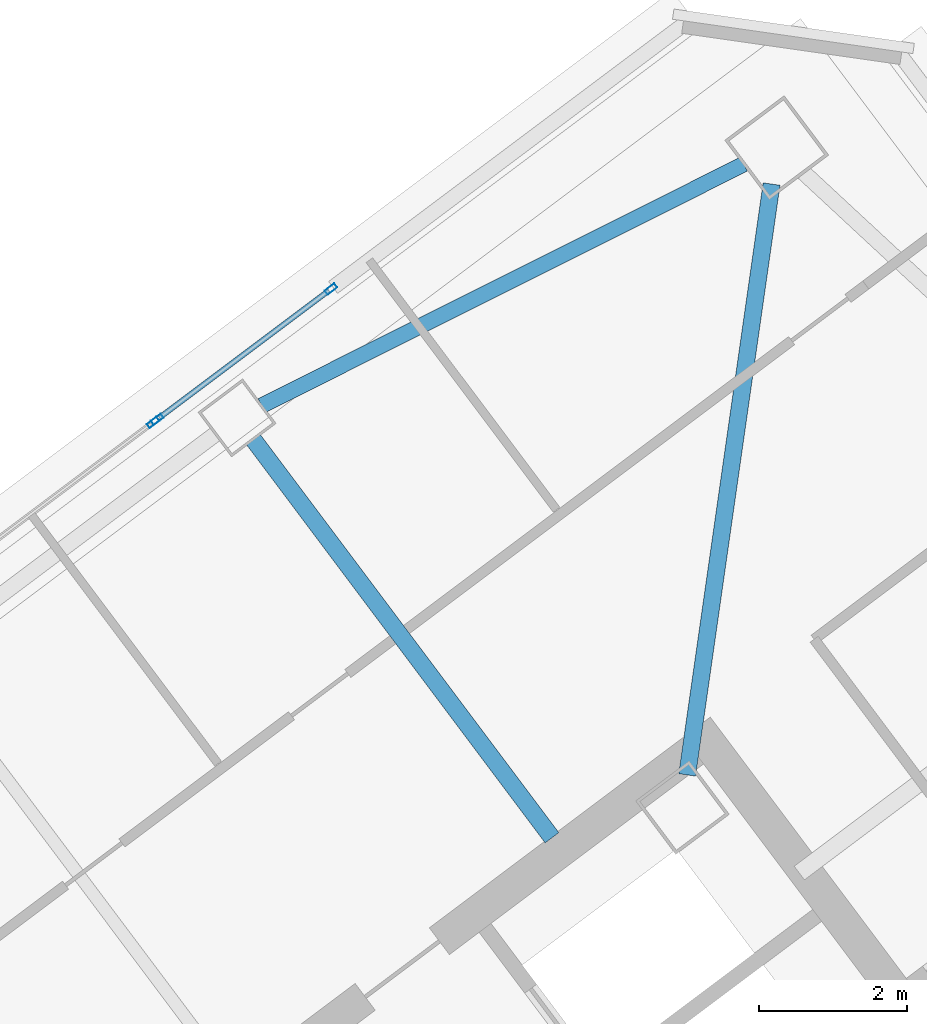
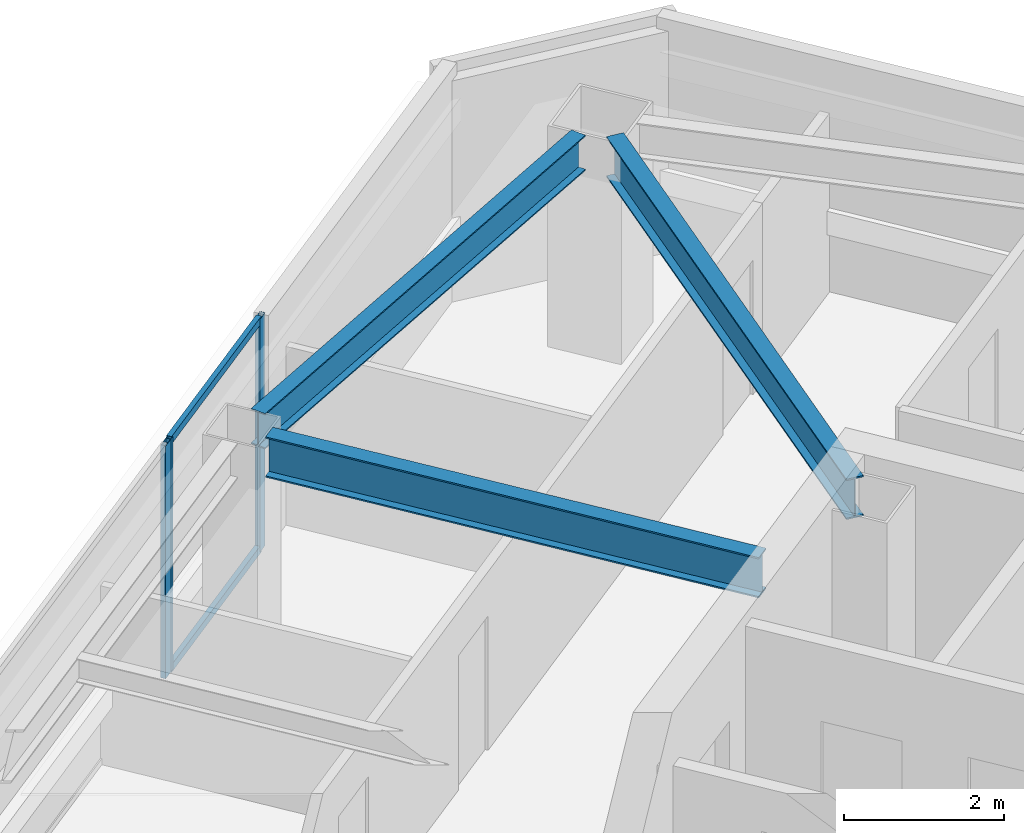
# One storey, part 26 of 40: 5 members, 3 beams, 2 elements without a shape of their own.
"""IFC4 building model written with IfcOpenShell, lengths in metres."""

from ifc_helpers import new_model, si_unit, direction, frame, origin, origin_2d, place, context, subcontext, project, spatial, hollow_rectangle, i_section, extrude, material, material_profile, profile_set, type_object, element, aggregate, save


model = new_model("IFC4")

# Units and contexts
model_context = context("Model", 3, precision=1e-05, world=origin(), true_north=direction((0.0, 1.0)))
body_context = subcontext(model_context, "Body", "Model", "MODEL_VIEW")
ifc_project = project(units=[si_unit("LENGTHUNIT", "METRE"), si_unit("AREAUNIT", "SQUARE_METRE"), si_unit("VOLUMEUNIT", "CUBIC_METRE"), si_unit("PLANEANGLEUNIT", "RADIAN"), si_unit("MASSUNIT", "GRAM", prefix="KILO")], contexts=[model_context])

# Site, building, storey
site_placement = place(None, origin())
site = spatial("IfcSite", under=ifc_project, at=site_placement, CompositionType="ELEMENT")
building_placement = place(site_placement, origin())
building = spatial("IfcBuilding", under=site, at=building_placement, Name="Tashvorn Skyway Center", CompositionType="ELEMENT")
storey_placement = place(building_placement, frame((0.0, 0.0, 221.949951171875)))
storey = spatial("IfcBuildingStorey", under=building, at=storey_placement, Name="L60", CompositionType="ELEMENT", Elevation=221.949951171875)

# Beams
ifc_material_1 = material(Name="Steel ASTM A992 Grade 50", Category="steel")
ifc_material_profile_1 = material_profile(ifc_material_1, i_section(OverallWidth=0.22998046875, OverallDepth=0.616943359375, WebThickness=0.01318359375, FlangeThickness=0.022216796875, at=origin_2d()), Name="W24X94")
ifc_profile_set_1 = profile_set([ifc_material_profile_1], Name="Steel ASTM A992 Grade 50")
beam_type_1 = type_object("IfcBeamType", Name="BM-BEAM-W24X94", PredefinedType="BEAM", material=ifc_profile_set_1)
beam_1_placement = place(storey_placement, frame((116.610107421875, 50.27001953125, 3.0615234375), z_axis=(-0.141438360399, -0.989947064346, 0.0), x_axis=(0.989947064346, -0.141438360399, 0.0)))
element("IfcBeam", 1, at=beam_1_placement, inside=storey, type_object=beam_type_1, Name="Tower 2 L60 Primary Floor Girder MC-NE", PredefinedType="BEAM", context=body_context, shape_type="SweptSolid", body=[
    extrude(i_section(OverallWidth=0.22998046875, OverallDepth=0.616943359375, WebThickness=0.01318359375, FlangeThickness=0.022216796875, at=origin_2d()), origin(), (0.0, 0.0, 1.0), 8.040283203125),
])
beam_2_placement = place(storey_placement, frame((109.632080078125, 46.823974609375, 3.0615234375), z_axis=(0.600011660554, -0.799991254452, 0.0), x_axis=(0.799991254452, 0.600011660554, 0.0)))
element("IfcBeam", 2, at=beam_2_placement, inside=storey, type_object=beam_type_1, Name="Tower 2 L60 Primary Floor Girder FC-N1", PredefinedType="BEAM", context=body_context, shape_type="SweptSolid", body=[
    extrude(i_section(OverallWidth=0.22998046875, OverallDepth=0.616943359375, WebThickness=0.01318359375, FlangeThickness=0.022216796875, at=origin_2d()), origin(), (0.0, 0.0, 1.0), 6.699951171875),
])
ifc_material_profile_2 = material_profile(ifc_material_1, i_section(OverallWidth=0.2109375, OverallDepth=0.5390625, WebThickness=0.01171875, FlangeThickness=0.018798828125, at=origin_2d()), Name="W21X73")
ifc_profile_set_2 = profile_set([ifc_material_profile_2], Name="Steel ASTM A992 Grade 50")
beam_type_2 = type_object("IfcBeamType", Name="BM-SPANDREL-W21X73", PredefinedType="SPANDREL", material=ifc_profile_set_2)
beam_3_placement = place(storey_placement, frame((116.2373046875, 50.538330078125, 3.1005859375), z_axis=(-0.894178380472, -0.447710870872, 0.0), x_axis=(0.447710870872, -0.894178380472, 0.0)))
element("IfcBeam", 3, at=beam_3_placement, inside=storey, type_object=beam_type_2, Name="Tower 2 L60 Spandrel Beam 07", PredefinedType="SPANDREL", context=body_context, shape_type="SweptSolid", body=[
    extrude(i_section(OverallWidth=0.2109375, OverallDepth=0.5390625, WebThickness=0.01171875, FlangeThickness=0.018798828125, at=origin_2d()), origin(), (0.0, 0.0, 1.0), 7.26513671875),
])

# Curtain wall, member
ifc_material_2 = material(Name="Thermally broken bronze-anodized aluminium 6063-T6", Category="aluminium")
curtain_wall_type = type_object("IfcCurtainWallType", Name="CW-CW-Z5", PredefinedType="NOTDEFINED", material=ifc_material_2)
curtain_wall_1_placement = place(storey_placement, origin())
curtain_wall_1 = element("IfcCurtainWall", 4, at=curtain_wall_1_placement, inside=storey, type_object=curtain_wall_type, Name="Tower 2 L60 North Unitised Curtain Wall Glazing Group 2", PredefinedType="NOTDEFINED")
ifc_material_profile_3 = material_profile(ifc_material_2, hollow_rectangle(XDim=0.070068359375, YDim=0.1650390625, WallThickness=0.00390625, at=origin_2d()), Name="ALU-MULL-70x165")
ifc_profile_set_3 = profile_set([ifc_material_profile_3], Name="Thermally broken bronze-anodized aluminium 6063-T6")
member_type_1 = type_object("IfcMemberType", Name="CWM-CW-Z5", PredefinedType="MULLION", material=ifc_profile_set_3)
member_1_placement = place(storey_placement, frame((108.27880859375, 47.05908203125, 0.0), z_axis=(0.0, 0.0, 1.0), x_axis=(-0.599996439189, 0.800002670596, 0.0)))
member_1 = element("IfcMember", 5, at=member_1_placement, type_object=member_type_1, Name="CW-Z5 mullion 2", PredefinedType="MULLION", context=body_context, shape_type="SweptSolid", body=[
    extrude(hollow_rectangle(XDim=0.070068359375, YDim=0.1650390625, WallThickness=0.00390625, at=origin_2d()), origin(), (0.0, 0.0, 1.0), 3.550048828125),
])
aggregate(curtain_wall_1, [member_1])

# Curtain wall, members
curtain_wall_2_placement = place(storey_placement, origin())
curtain_wall_2 = element("IfcCurtainWall", 6, at=curtain_wall_2_placement, inside=storey, type_object=curtain_wall_type, Name="Tower 2 L60 North Unitised Curtain Wall Glazing Group 3", PredefinedType="NOTDEFINED")
member_2_placement = place(storey_placement, frame((108.334716796875, 47.10107421875, 0.0), z_axis=(0.0, 0.0, 1.0), x_axis=(-0.600000000002, 0.799999999998, 0.0)))
member_2 = element("IfcMember", 7, at=member_2_placement, type_object=member_type_1, Name="CW-Z5 mullion 1", PredefinedType="MULLION", context=body_context, shape_type="SweptSolid", body=[
    extrude(hollow_rectangle(XDim=0.070068359375, YDim=0.1650390625, WallThickness=0.00390625, at=origin_2d()), origin(), (0.0, 0.0, 1.0), 3.550048828125),
])
member_3_placement = place(storey_placement, frame((110.675048828125, 48.856201171875, 0.0), z_axis=(0.0, 0.0, 1.0), x_axis=(-0.600000000002, 0.799999999998, 0.0)))
member_3 = element("IfcMember", 8, at=member_3_placement, type_object=member_type_1, Name="CW-Z5 mullion 2", PredefinedType="MULLION", context=body_context, shape_type="SweptSolid", body=[
    extrude(hollow_rectangle(XDim=0.070068359375, YDim=0.1650390625, WallThickness=0.00390625, at=origin_2d()), origin(), (0.0, 0.0, 1.0), 3.550048828125),
])
ifc_material_profile_4 = material_profile(ifc_material_2, hollow_rectangle(XDim=0.070068359375, YDim=0.114990234375, WallThickness=0.00390625, at=origin_2d()), Name="ALU-TRAN-70x115")
ifc_profile_set_4 = profile_set([ifc_material_profile_4], Name="Thermally broken bronze-anodized aluminium 6063-T6")
member_type_2 = type_object("IfcMemberType", Name="CWT-CW-Z5", PredefinedType="USERDEFINED", material=ifc_profile_set_4)
member_4_placement = place(storey_placement, frame((108.36279296875, 47.1220703125, 0.03515625), z_axis=(0.800030779227, 0.599958958837, 0.0), x_axis=(-0.599958958837, 0.800030779227, 0.0)))
member_4 = element("IfcMember", 9, at=member_4_placement, type_object=member_type_2, Name="CW-Z5 transom 1.1", ObjectType="TRANSOM", PredefinedType="USERDEFINED", context=body_context, shape_type="SweptSolid", body=[
    extrude(hollow_rectangle(XDim=0.070068359375, YDim=0.114990234375, WallThickness=0.00390625, at=origin_2d()), origin(), (0.0, 0.0, 1.0), 2.85546875),
])
member_5_placement = place(storey_placement, frame((108.36279296875, 47.1220703125, 3.51513671875), z_axis=(0.800030779227, 0.599958958837, 0.0), x_axis=(-0.599958958837, 0.800030779227, 0.0)))
member_5 = element("IfcMember", 10, at=member_5_placement, type_object=member_type_2, Name="CW-Z5 transom 1.2", ObjectType="TRANSOM", PredefinedType="USERDEFINED", context=body_context, shape_type="SweptSolid", body=[
    extrude(hollow_rectangle(XDim=0.070068359375, YDim=0.114990234375, WallThickness=0.00390625, at=origin_2d()), origin(), (0.0, 0.0, 1.0), 2.85546875),
])
aggregate(curtain_wall_2, [member_2, member_3, member_4, member_5])

save(model, "model.ifc")
